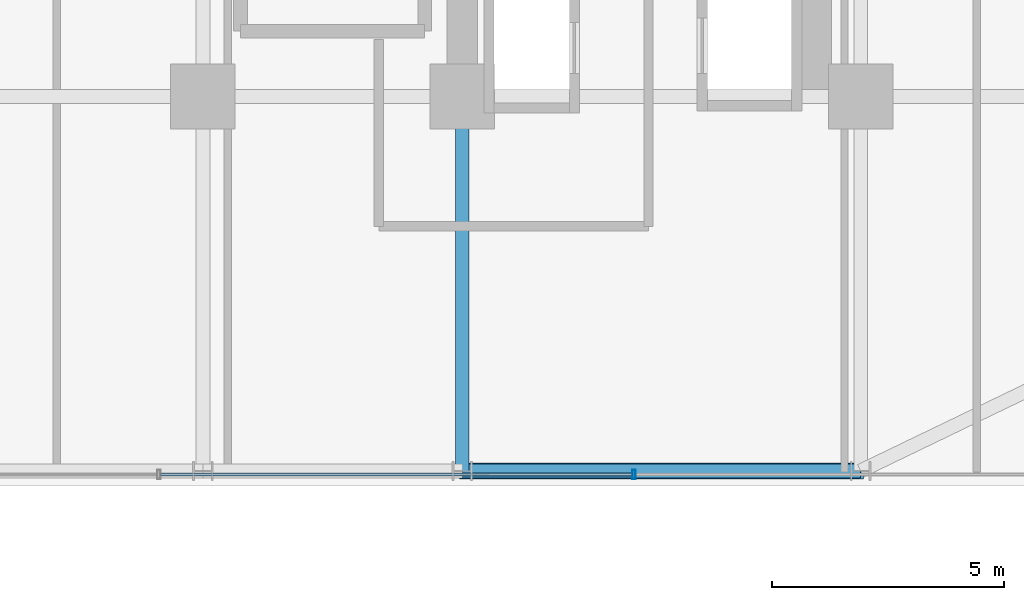
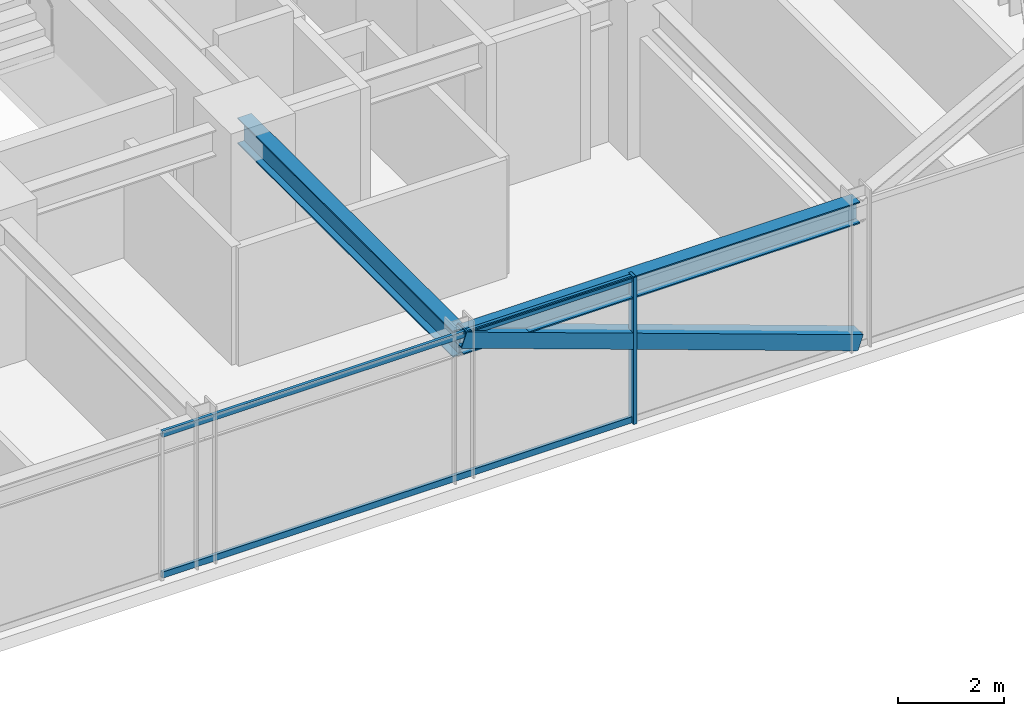
# One storey, part 12 of 43: 4 members, 2 beams, 1 element without a shape of its own.
"""IFC4 building model written with IfcOpenShell, lengths in metres."""

from ifc_helpers import new_model, si_unit, direction, frame, origin, origin_2d, place, context, subcontext, project, spatial, hollow_rectangle, i_section, extrude, source, transform, mapped, material, material_profile, profile_set, type_object, element, aggregate, save


model = new_model("IFC4")

# Units and contexts
model_context = context("Model", 3, precision=1e-05, world=origin(), true_north=direction((0.0, 1.0)))
body_context = subcontext(model_context, "Body", "Model", "MODEL_VIEW")
ifc_project = project(units=[si_unit("LENGTHUNIT", "METRE"), si_unit("AREAUNIT", "SQUARE_METRE"), si_unit("VOLUMEUNIT", "CUBIC_METRE"), si_unit("PLANEANGLEUNIT", "RADIAN"), si_unit("MASSUNIT", "GRAM", prefix="KILO")], contexts=[model_context])

# Site, building, storey
site_placement = place(None, origin())
site = spatial("IfcSite", under=ifc_project, at=site_placement, CompositionType="ELEMENT")
building_placement = place(site_placement, origin())
building = spatial("IfcBuilding", under=site, at=building_placement, Name="Nahalor Promenade Grand Hotel", CompositionType="ELEMENT")
storey_placement = place(building_placement, frame((0.0, 0.0, 57.949951171875)))
storey = spatial("IfcBuildingStorey", under=building, at=storey_placement, Name="L13", CompositionType="ELEMENT", Elevation=57.949951171875)

# Beams
ifc_material_1 = material(Name="Steel S355JR", Category="steel")
ifc_material_profile_1 = material_profile(ifc_material_1, i_section(OverallWidth=0.3, OverallDepth=0.5, WebThickness=0.0145, FlangeThickness=0.028, at=origin_2d()), Name="HEB 500")
ifc_profile_set_1 = profile_set([ifc_material_profile_1], Name="Steel S355JR")
beam_type_1 = type_object("IfcBeamType", Name="Beam-Spandrel-HEB500", PredefinedType="SPANDREL", material=ifc_profile_set_1)
shared_shape_1 = source(origin(), body_context, "Body", "SweptSolid", [
    extrude(i_section(OverallWidth=0.3, OverallDepth=0.5, WebThickness=0.0145, FlangeThickness=0.028, at=origin_2d()), origin(), (0.0, 0.0, 1.0), 8.60009765625),
])
beam_1_placement = place(storey_placement, frame((8.39990234375, -25.080078125, 3.1201171875), z_axis=(1.0, 0.0, 0.0), x_axis=(0.0, 1.0, 0.0)))
element("IfcBeam", 1, at=beam_1_placement, inside=storey, type_object=beam_type_1, Name="BM-L13-SP-S-4", PredefinedType="SPANDREL", context=body_context, shape_type="MappedRepresentation", body=[
    mapped(shared_shape_1, transform((0.0, 0.0, 0.0), scale=1.0)),
])
ifc_material_profile_2 = material_profile(ifc_material_1, i_section(OverallWidth=0.3, OverallDepth=0.6, WebThickness=0.0155, FlangeThickness=0.03, at=origin_2d()), Name="HEB 600")
ifc_profile_set_2 = profile_set([ifc_material_profile_2], Name="Steel S355JR")
beam_type_2 = type_object("IfcBeamType", Name="Beam-Girder-HEB600", PredefinedType="BEAM", material=ifc_profile_set_2)
shared_shape_2 = source(origin(), body_context, "Body", "SweptSolid", [
    extrude(i_section(OverallWidth=0.3, OverallDepth=0.6, WebThickness=0.0155, FlangeThickness=0.03, at=origin_2d()), origin(), (0.0, 0.0, 1.0), 8.080078125),
])
beam_2_placement = place(storey_placement, frame((8.39990234375, -25.080078125, 3.070068359375), z_axis=(0.0, 1.0, 0.0), x_axis=(-1.0, 0.0, 0.0)))
element("IfcBeam", 2, at=beam_2_placement, inside=storey, type_object=beam_type_2, Name="BM-L13-GY-4-0", PredefinedType="BEAM", context=body_context, shape_type="MappedRepresentation", body=[
    mapped(shared_shape_2, transform((0.0, 0.0, 0.0), scale=1.0)),
])

# Member
ifc_material_profile_3 = material_profile(ifc_material_1, hollow_rectangle(XDim=0.35, YDim=0.35, WallThickness=0.02, at=origin_2d()), Name="SHS 350x350x20")
ifc_profile_set_3 = profile_set([ifc_material_profile_3], Name="Steel S355JR")
member_type_1 = type_object("IfcMemberType", Name="Mem-VoidBrace-SHS350", PredefinedType="BRACE", material=ifc_profile_set_3)
shared_shape_3 = source(origin(), body_context, "Body", "SweptSolid", [
    extrude(hollow_rectangle(XDim=0.35, YDim=0.35, WallThickness=0.02, at=origin_2d()), origin(), (0.0, 0.0, 1.0), 9.131591796875),
])
member_1_placement = place(storey_placement, frame((17.0, -25.080078125, 0.150146484375), z_axis=(-0.941798757288, 0.0, 0.336177186571), x_axis=(0.0, -1.0, 0.0)))
element("IfcMember", 3, at=member_1_placement, inside=storey, type_object=member_type_1, Name="EXO-L13-S-1", PredefinedType="BRACE", context=body_context, shape_type="MappedRepresentation", body=[
    mapped(shared_shape_3, transform((0.0, 0.0, 0.0), scale=1.0)),
])

# Curtain wall, members
ifc_material_2 = material(Name="Anodised Bronze Aluminium EN AW-6063 T6", Category="aluminium")
curtain_wall_type = type_object("IfcCurtainWallType", Name="CW3 Elliptical-Void Collar Unitised Curtain Wall", PredefinedType="USERDEFINED", material=ifc_material_2)
curtain_wall_placement = place(storey_placement, origin())
curtain_wall = element("IfcCurtainWall", 4, at=curtain_wall_placement, inside=storey, type_object=curtain_wall_type, Name="L13 Curtain Wall CW-L13-S-3", ObjectType="UNITISED_CURTAIN_WALL", PredefinedType="USERDEFINED")
ifc_material_profile_4 = material_profile(ifc_material_2, hollow_rectangle(XDim=0.07, YDim=0.14, WallThickness=0.004, at=origin_2d()), Name="CWT 70x140x4")
ifc_profile_set_4 = profile_set([ifc_material_profile_4], Name="Anodised Bronze Aluminium EN AW-6063 T6")
member_type_2 = type_object("IfcMemberType", Name="CWT3 Void Collar Transom 70x140", PredefinedType="USERDEFINED", material=ifc_profile_set_4)
shared_shape_4 = source(origin(), body_context, "Body", "SweptSolid", [
    extrude(hollow_rectangle(XDim=0.07, YDim=0.14, WallThickness=0.004, at=origin_2d()), origin(), (0.0, 0.0, 1.0), 10.183349609375),
])
member_2_placement = place(storey_placement, frame((1.888427734375, -25.159912109375, 0.070068359375), z_axis=(1.0, 0.0, 0.0), x_axis=(0.0, 1.0, 0.0)))
member_2 = element("IfcMember", 5, at=member_2_placement, type_object=member_type_2, Name="CW-L13-S-3 Transom 1-0", ObjectType="TRANSOM", PredefinedType="USERDEFINED", context=body_context, shape_type="MappedRepresentation", body=[
    mapped(shared_shape_4, transform((0.0, 0.0, 0.0), scale=1.0)),
])
member_3_placement = place(storey_placement, frame((1.888427734375, -25.159912109375, 3.300048828125), z_axis=(1.0, 0.0, 0.0), x_axis=(0.0, 1.0, 0.0)))
member_3 = element("IfcMember", 6, at=member_3_placement, type_object=member_type_2, Name="CW-L13-S-3 Transom 1-1", ObjectType="TRANSOM", PredefinedType="USERDEFINED", context=body_context, shape_type="MappedRepresentation", body=[
    mapped(shared_shape_4, transform((0.0, 0.0, 0.0), scale=1.0)),
])
ifc_material_profile_5 = material_profile(ifc_material_2, hollow_rectangle(XDim=0.07, YDim=0.2, WallThickness=0.005, at=origin_2d()), Name="CWM 70x200x5")
ifc_profile_set_5 = profile_set([ifc_material_profile_5], Name="Anodised Bronze Aluminium EN AW-6063 T6")
member_type_3 = type_object("IfcMemberType", Name="CWM3 Void Collar Mullion 70x200", PredefinedType="MULLION", material=ifc_profile_set_5)
shared_shape_5 = source(origin(), body_context, "Body", "SweptSolid", [
    extrude(hollow_rectangle(XDim=0.07, YDim=0.2, WallThickness=0.005, at=origin_2d()), origin(), (0.0, 0.0, 1.0), 3.3701171875),
])
member_4_placement = place(storey_placement, frame((12.106689453125, -25.159912109375, 0.0), z_axis=(0.0, 0.0, 1.0), x_axis=(1.0, 0.0, 0.0)))
member_4 = element("IfcMember", 7, at=member_4_placement, type_object=member_type_3, Name="CW-L13-S-3 Mullion 2", PredefinedType="MULLION", context=body_context, shape_type="MappedRepresentation", body=[
    mapped(shared_shape_5, transform((0.0, 0.0, 0.0), scale=1.0)),
])
aggregate(curtain_wall, [member_4, member_2, member_3])

save(model, "model.ifc")
